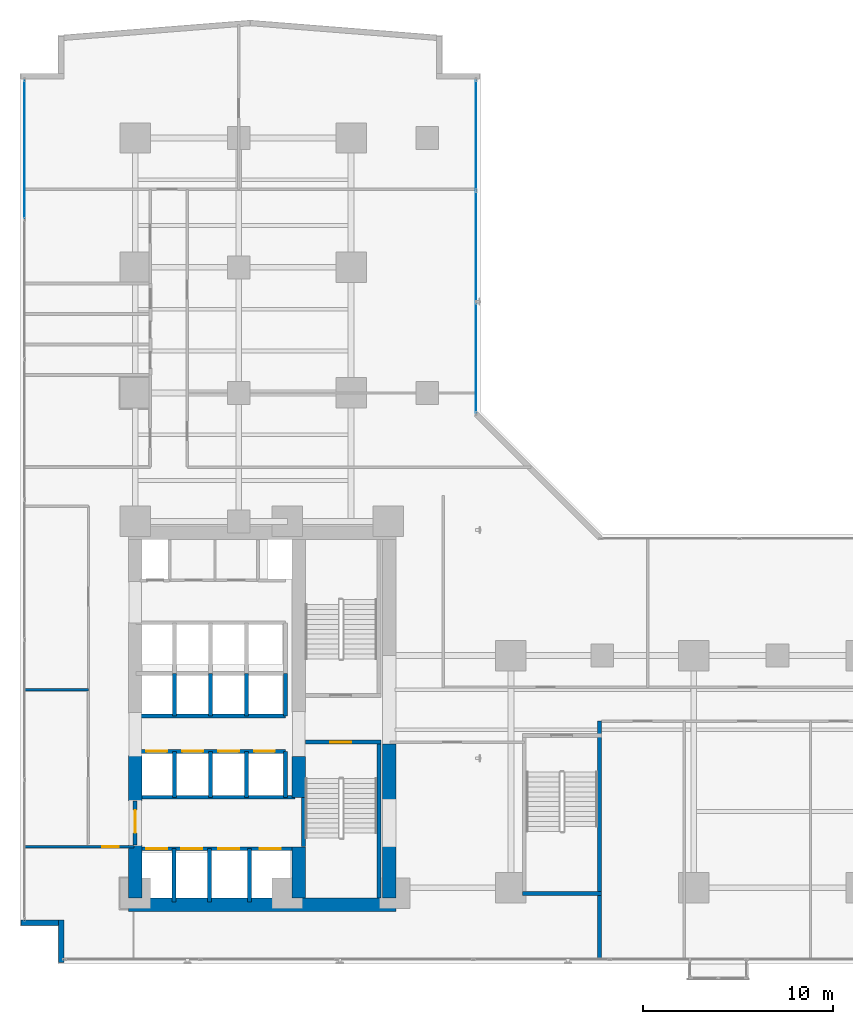
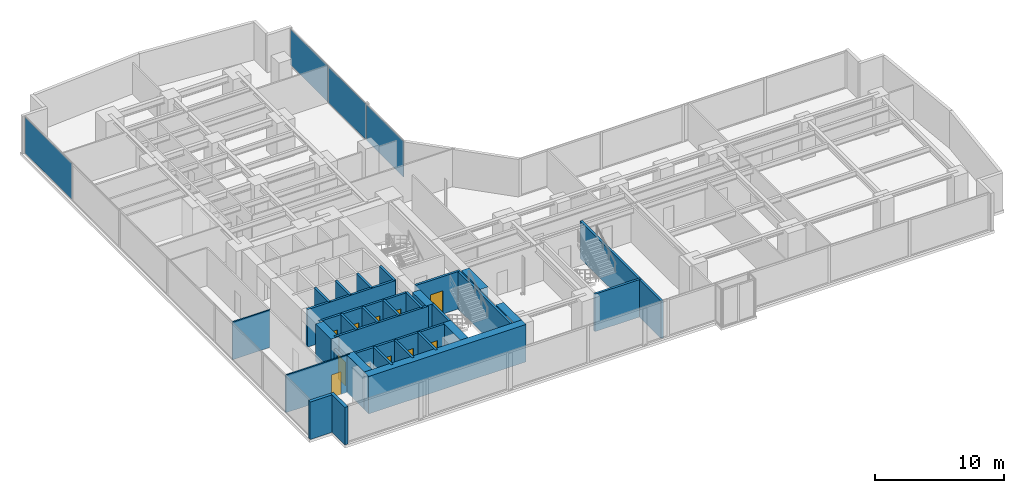
# One storey, part 22 of 30: 32 walls, 11 doors, 4 plates, 11 openings, 2 elements without a shape of their own.
"""IFC4 building model written with IfcOpenShell, lengths in metres."""

from ifc_helpers import new_model, si_unit, direction, frame, frame_2d, origin, origin_with_axes, origin_2d, place, context, subcontext, project, spatial, rectangle, extrude, source, transform, mapped, material, layer, layer_set, type_object, element, fill, aggregate, save


model = new_model("IFC4")

# Units and contexts
model_context = context("Model", 3, precision=1e-05, world=origin(), true_north=direction((0.0, 1.0)))
body_context = subcontext(model_context, "Body", "Model", "MODEL_VIEW")
ifc_project = project(units=[si_unit("LENGTHUNIT", "METRE"), si_unit("AREAUNIT", "SQUARE_METRE"), si_unit("VOLUMEUNIT", "CUBIC_METRE"), si_unit("PLANEANGLEUNIT", "RADIAN"), si_unit("MASSUNIT", "GRAM", prefix="KILO")], contexts=[model_context])

# Site, building, storey
site_placement = place(None, origin())
site = spatial("IfcSite", under=ifc_project, at=site_placement, CompositionType="ELEMENT")
building_placement = place(site_placement, origin())
building = spatial("IfcBuilding", under=site, at=building_placement, Name="Kolvaren Waterfront Exchange", CompositionType="ELEMENT")
storey_placement = place(building_placement, frame((0.0, 0.0, 71.39990234375)))
storey = spatial("IfcBuildingStorey", under=building, at=storey_placement, Name="L18", CompositionType="ELEMENT", Elevation=71.39990234375)

# Curtain wall, plate
ifc_material_1 = material(Name="Anodised aluminium 6063-T6", Category="aluminium")
ifc_layer_1 = layer(ifc_material_1, 0.219970703125, Name="Anodised aluminium 6063-T6")
ifc_layer_set_1 = layer_set([ifc_layer_1], Name="Anodised aluminium 6063-T6")
curtain_wall_type_1 = type_object("IfcCurtainWallType", Name="ARC-CW-SYS2", PredefinedType="USERDEFINED", material=ifc_layer_set_1)
curtain_wall_1_placement = place(storey_placement, origin())
curtain_wall_1 = element("IfcCurtainWall", 1, at=curtain_wall_1_placement, inside=storey, type_object=curtain_wall_type_1, Name="L18 stick curtain wall CW2 (CW-L18-W)", ObjectType="STICK CURTAIN WALL", PredefinedType="USERDEFINED")
ifc_material_2 = material(Name="Acoustic laminated vision glass", Category="glass")
ifc_layer_2 = layer(ifc_material_2, 0.031982421875, Name="Acoustic laminated vision glass")
ifc_layer_set_2 = layer_set([ifc_layer_2], Name="Acoustic laminated vision glass")
plate_type_1 = type_object("IfcPlateType", Name="ARC-CWP-32", PredefinedType="CURTAIN_PANEL", material=ifc_layer_set_2)
shared_shape_1 = source(origin_with_axes(), body_context, "Body", "SweptSolid", [
    extrude(rectangle(XDim=7.24658203125, YDim=0.031982421875, at=origin_2d()), origin(), (0.0, 0.0, 1.0), 3.389892578125),
])
plate_1_placement = place(storey_placement, frame((1.639892578125, 43.99658203125, 0.0751953125), z_axis=(0.0, 0.0, 1.0), x_axis=(0.0, 1.0, 0.0)))
plate_1 = element("IfcPlate", 2, at=plate_1_placement, type_object=plate_type_1, Name="CW2 panel 6.1", PredefinedType="CURTAIN_PANEL", context=body_context, shape_type="MappedRepresentation", body=[
    mapped(shared_shape_1, transform((0.0, 0.0, 0.0), x_axis=(1.0, 0.0, 0.0), y_axis=(0.0, 1.0, 0.0), z_axis=(0.0, 0.0, 1.0), scale=1.0)),
])
aggregate(curtain_wall_1, [plate_1])

# Curtain wall, plates
ifc_material_3 = material(Name="Anodised bronze aluminium 6063-T6", Category="aluminium")
ifc_layer_3 = layer(ifc_material_3, 0.219970703125, Name="Anodised bronze aluminium 6063-T6")
ifc_layer_set_3 = layer_set([ifc_layer_3], Name="Anodised bronze aluminium 6063-T6")
curtain_wall_type_2 = type_object("IfcCurtainWallType", Name="ARC-CW-SYS1", PredefinedType="USERDEFINED", material=ifc_layer_set_3)
curtain_wall_2_placement = place(storey_placement, origin())
curtain_wall_2 = element("IfcCurtainWall", 3, at=curtain_wall_2_placement, inside=storey, type_object=curtain_wall_type_2, Name="L18 stick curtain wall CW1 (CW-L18-NE)", ObjectType="STICK CURTAIN WALL", PredefinedType="USERDEFINED")
ifc_material_4 = material(Name="Bronze solar control vision glass", Category="aluminium")
ifc_layer_4 = layer(ifc_material_4, 0.028076171875, Name="Bronze solar control vision glass")
ifc_layer_set_4 = layer_set([ifc_layer_4], Name="Bronze solar control vision glass")
plate_type_2 = type_object("IfcPlateType", Name="ARC-CWP-28", PredefinedType="CURTAIN_PANEL", material=ifc_layer_set_4)
shared_shape_2 = source(origin_with_axes(), body_context, "Body", "SweptSolid", [
    extrude(rectangle(XDim=5.75, YDim=0.028076171875, at=origin_2d()), origin(), (0.0, 0.0, 1.0), 3.389892578125),
])
plate_2_placement = place(storey_placement, frame((25.360107421875, 33.044921875, 0.0751953125), z_axis=(0.0, 0.0, 1.0), x_axis=(0.0, 1.0, 0.0)))
plate_2 = element("IfcPlate", 4, at=plate_2_placement, type_object=plate_type_2, Name="CW1 panel 1.1", PredefinedType="CURTAIN_PANEL", context=body_context, shape_type="MappedRepresentation", body=[
    mapped(shared_shape_2, transform((0.0, 0.0, 0.0), x_axis=(1.0, 0.0, 0.0), y_axis=(0.0, 1.0, 0.0), z_axis=(0.0, 0.0, 1.0), scale=1.0)),
])
plate_3_placement = place(storey_placement, frame((25.360107421875, 44.7451171875, 0.0751953125), z_axis=(0.0, 0.0, 1.0), x_axis=(0.0, 1.0, 0.0)))
plate_3 = element("IfcPlate", 5, at=plate_3_placement, type_object=plate_type_2, Name="CW1 panel 3.1", PredefinedType="CURTAIN_PANEL", context=body_context, shape_type="MappedRepresentation", body=[
    mapped(shared_shape_2, transform((0.0, 0.0, 0.0), x_axis=(1.0, 0.0, 0.0), y_axis=(0.0, 1.0, 0.0), z_axis=(0.0, 0.0, 1.0), scale=1.0)),
])
shared_shape_3 = source(origin_with_axes(), body_context, "Body", "SweptSolid", [
    extrude(rectangle(XDim=5.7900390625, YDim=0.028076171875, at=origin_2d()), origin(), (0.0, 0.0, 1.0), 3.389892578125),
])
plate_4_placement = place(storey_placement, frame((25.360107421875, 38.89501953125, 0.0751953125), z_axis=(0.0, 0.0, 1.0), x_axis=(0.0, 1.0, 0.0)))
plate_4 = element("IfcPlate", 6, at=plate_4_placement, type_object=plate_type_2, Name="CW1 panel 2.1", PredefinedType="CURTAIN_PANEL", context=body_context, shape_type="MappedRepresentation", body=[
    mapped(shared_shape_3, transform((0.0, 0.0, 0.0), x_axis=(1.0, 0.0, 0.0), y_axis=(0.0, 1.0, 0.0), z_axis=(0.0, 0.0, 1.0), scale=1.0)),
])
aggregate(curtain_wall_2, [plate_2, plate_4, plate_3])

# Walls
ifc_material_5 = material(Name="Precast concrete C40/50", Category="concrete")
ifc_layer_5 = layer(ifc_material_5, 0.280029296875, Name="Precast concrete C40/50")
ifc_layer_set_5 = layer_set([ifc_layer_5], Name="Precast concrete C40/50")
wall_type_1 = type_object("IfcWallType", Name="ARC-EXT-TERR-280", PredefinedType="SOLIDWALL", material=ifc_layer_set_5)
wall_1_placement = place(storey_placement, frame((3.56005859375, 1.260009765625, 0.0), z_axis=(0.0, 0.0, 1.0), x_axis=(0.0, 1.0, 0.0)))
element("IfcWall", 7, at=wall_1_placement, inside=storey, type_object=wall_type_1, Name="L18 notched corner spandrel pier SW-A", PredefinedType="SOLIDWALL", context=body_context, shape_type="SweptSolid", body=[
    extrude(rectangle(XDim=2.239990234375, YDim=0.280029296875, at=frame_2d((1.1201171875, 0.0))), origin(), (0.0, 0.0, 1.0), 3.5400390625),
])
wall_2_placement = place(storey_placement, frame((1.4599609375, 3.360107421875, 0.0), z_axis=(0.0, 0.0, 1.0), x_axis=(1.0, 0.0, 0.0)))
element("IfcWall", 8, at=wall_2_placement, inside=storey, type_object=wall_type_1, Name="L18 notched corner spandrel pier SW-B", PredefinedType="SOLIDWALL", context=body_context, shape_type="SweptSolid", body=[
    extrude(rectangle(XDim=1.9599609375, YDim=0.280029296875, at=frame_2d((0.97998046875, 0.0))), origin(), (0.0, 0.0, 1.0), 3.5400390625),
])

# Wall, opening, door
ifc_layer_6 = layer(ifc_material_5, 0.199951171875, Name="Precast concrete C40/50")
ifc_layer_set_6 = layer_set([ifc_layer_6], Name="Precast concrete C40/50")
wall_type_2 = type_object("IfcWallType", Name="ARC-FIRE-200", PredefinedType="PARTITIONING", material=ifc_layer_set_6)
wall_3_placement = place(storey_placement, frame((16.39990234375, 12.85009765625, 0.0), z_axis=(0.0, 0.0, 1.0), x_axis=(1.0, 0.0, 0.0)))
wall_3 = element("IfcWall", 9, at=wall_3_placement, inside=storey, type_object=wall_type_2, Name="L18 interior wall PW-L18-ST1-THROAT-S", PredefinedType="PARTITIONING", context=body_context, shape_type="SweptSolid", body=[
    extrude(rectangle(XDim=3.960205078125, YDim=0.199951171875, at=frame_2d((1.97998046875, 0.0))), origin(), (0.0, 0.0, 1.0), 3.5400390625),
])
opening_1_placement = place(wall_3_placement, frame((1.3037109375, 0.0, 0.0)))
opening_1 = element("IfcOpeningElement", 10, at=opening_1_placement, cuts=wall_3, Name="Opening FD2", PredefinedType="OPENING", context=body_context, shape_type="SweptSolid", body=[
    extrude(rectangle(XDim=1.10009765625, YDim=2.199951171875, at=frame_2d((0.550048828125, 1.10009765625))), frame((0.0, 0.10986328125, 0.0), z_axis=(0.0, -1.0, 0.0), x_axis=(1.0, 0.0, 0.0)), (0.0, 0.0, 1.0), 0.219970703125),
])
ifc_material_6 = material(Name="Pressed steel smoke-seal fire door", Category="steel")
door_type_1 = type_object("IfcDoorType", Name="ARC-FD-1100", OperationType="NOTDEFINED", PredefinedType="DOOR", material=ifc_material_6)
door_1_placement = place(opening_1_placement, frame((1.10009765625, 0.0, 0.0), z_axis=(0.0, 0.0, 1.0), x_axis=(-1.0, 0.0, 0.0)))
door_1 = element("IfcDoor", 11, at=door_1_placement, inside=storey, type_object=door_type_1, Name="L18 door DR-L18-ST1-IN (FD2)", OperationType="SINGLE_SWING_RIGHT", OverallHeight=2.199951171875, OverallWidth=1.10009765625, PredefinedType="DOOR", context=body_context, shape_type="SweptSolid", body=[
    extrude(rectangle(XDim=1.10009765625, YDim=2.199951171875, at=frame_2d((0.550048828125, 1.10009765625))), frame((0.0, 0.02490234375, 0.0), z_axis=(0.0, -1.0, 0.0), x_axis=(1.0, 0.0, 0.0)), (0.0, 0.0, 1.0), 0.050048828125),
])
fill(opening_1, door_1)

# Wall
wall_4_placement = place(storey_placement, frame((7.5, 9.949951171875, 0.0), z_axis=(0.0, 0.0, 1.0), x_axis=(1.0, 0.0, 0.0)))
element("IfcWall", 12, at=wall_4_placement, inside=storey, type_object=wall_type_2, Name="L18 interior wall PW-L18-FF-N", PredefinedType="PARTITIONING", context=body_context, shape_type="SweptSolid", body=[
    extrude(rectangle(XDim=8.35009765625, YDim=0.199951171875, at=frame_2d((4.175048828125, 0.0))), origin(), (0.0, 0.0, 1.0), 3.5400390625),
])

# Wall, opening, door
wall_5_placement = place(storey_placement, frame((7.449951171875, 7.449951171875, 0.0), z_axis=(0.0, 0.0, 1.0), x_axis=(0.0, 1.0, 0.0)))
wall_5 = element("IfcWall", 13, at=wall_5_placement, inside=storey, type_object=wall_type_2, Name="L18 interior wall PW-L18-FF-W-DOOR", PredefinedType="PARTITIONING", context=body_context, shape_type="SweptSolid", body=[
    extrude(rectangle(XDim=2.300048828125, YDim=0.199951171875, at=frame_2d((1.14990234375, 0.0))), origin(), (0.0, 0.0, 1.0), 2.52001953125),
])
opening_2_placement = place(wall_5_placement, frame((0.63330078125, 0.0, 0.0)))
opening_2 = element("IfcOpeningElement", 14, at=opening_2_placement, cuts=wall_5, Name="Opening FD3", PredefinedType="OPENING", context=body_context, shape_type="SweptSolid", body=[
    extrude(rectangle(XDim=1.199951171875, YDim=2.25, at=frame_2d((0.60009765625, 1.125))), frame((0.0, 0.10986328125, 0.0), z_axis=(0.0, -1.0, 0.0), x_axis=(1.0, 0.0, 0.0)), (0.0, 0.0, 1.0), 0.219970703125),
])
ifc_material_7 = material(Name="Pressed steel fire door", Category="steel")
door_type_2 = type_object("IfcDoorType", Name="ARC-FD-1200", OperationType="NOTDEFINED", PredefinedType="DOOR", material=ifc_material_7)
door_2_placement = place(opening_2_placement, frame((1.199951171875, 0.0, 0.0), z_axis=(0.0, 0.0, 1.0), x_axis=(-1.0, 0.0, 0.0)))
door_2 = element("IfcDoor", 15, at=door_2_placement, inside=storey, type_object=door_type_2, Name="L18 door DR-L18-FF-OUT (FD3)", OperationType="SINGLE_SWING_LEFT", OverallHeight=2.25, OverallWidth=1.199951171875, PredefinedType="DOOR", context=body_context, shape_type="SweptSolid", body=[
    extrude(rectangle(XDim=1.199951171875, YDim=2.25, at=frame_2d((0.60009765625, 1.125))), frame((0.0, 0.02490234375, 0.0), z_axis=(0.0, -1.0, 0.0), x_axis=(1.0, 0.0, 0.0)), (0.0, 0.0, 1.0), 0.050048828125),
])
fill(opening_2, door_2)

ifc_material_8 = material(Name="Acoustic gypsum steel stud", Category="steel")
ifc_layer_7 = layer(ifc_material_8, 0.125, Name="Acoustic gypsum steel stud")
ifc_layer_set_7 = layer_set([ifc_layer_7], Name="Acoustic gypsum steel stud")
wall_type_3 = type_object("IfcWallType", Name="ARC-PART-125", PredefinedType="PARTITIONING", material=ifc_layer_set_7)
wall_6_placement = place(storey_placement, frame((1.639892578125, 7.35009765625, 0.0), z_axis=(0.0, 0.0, 1.0), x_axis=(1.0, 0.0, 0.0)))
wall_6 = element("IfcWall", 16, at=wall_6_placement, inside=storey, type_object=wall_type_3, Name="L18 interior wall PW-L18-SWC-N", PredefinedType="PARTITIONING", context=body_context, shape_type="SweptSolid", body=[
    extrude(rectangle(XDim=5.760009765625, YDim=0.125, at=frame_2d((2.8798828125, 0.0))), origin(), (0.0, 0.0, 1.0), 3.5400390625),
])
opening_3_placement = place(wall_6_placement, frame((4.086669921875, 0.0, 0.0)))
opening_3 = element("IfcOpeningElement", 17, at=opening_3_placement, cuts=wall_6, Name="Opening D01", PredefinedType="OPENING", context=body_context, shape_type="SweptSolid", body=[
    extrude(rectangle(XDim=0.85009765625, YDim=2.14990234375, at=frame_2d((0.425048828125, 1.074951171875))), frame((0.0, 0.072509765625, 0.0), z_axis=(0.0, -1.0, 0.0), x_axis=(1.0, 0.0, 0.0)), (0.0, 0.0, 1.0), 0.14501953125),
])
ifc_material_9 = material(Name="Oak veneer timber leaf", Category="wood")
door_type_3 = type_object("IfcDoorType", Name="ARC-DR-900", OperationType="NOTDEFINED", PredefinedType="DOOR", material=ifc_material_9)
door_3_placement = place(opening_3_placement, origin())
door_3 = element("IfcDoor", 18, at=door_3_placement, inside=storey, type_object=door_type_3, Name="L18 door DR-L18-SWC-D (D01)", OperationType="SINGLE_SWING_LEFT", OverallHeight=2.14990234375, OverallWidth=0.85009765625, PredefinedType="DOOR", context=body_context, shape_type="SweptSolid", body=[
    extrude(rectangle(XDim=0.85009765625, YDim=2.14990234375, at=frame_2d((0.425048828125, 1.074951171875))), frame((0.0, 0.02490234375, 0.0), z_axis=(0.0, -1.0, 0.0), x_axis=(1.0, 0.0, 0.0)), (0.0, 0.0, 1.0), 0.050048828125),
])
fill(opening_3, door_3)

# Walls
wall_7_placement = place(storey_placement, frame((1.639892578125, 15.60009765625, 0.0), z_axis=(0.0, 0.0, 1.0), x_axis=(1.0, 0.0, 0.0)))
element("IfcWall", 19, at=wall_7_placement, inside=storey, type_object=wall_type_3, Name="L18 interior wall PW-L18-WFLANK-MID", PredefinedType="PARTITIONING", context=body_context, shape_type="SweptSolid", body=[
    extrude(rectangle(XDim=3.360107421875, YDim=0.125, at=frame_2d((1.68017578125, 0.0))), origin(), (0.0, 0.0, 1.0), 3.5400390625),
])
ifc_material_10 = material(Name="Concrete C40/50", Category="concrete")
ifc_layer_8 = layer(ifc_material_10, 0.199951171875, Name="Concrete C40/50")
ifc_layer_set_8 = layer_set([ifc_layer_8], Name="Concrete C40/50")
wall_type_4 = type_object("IfcWallType", Name="ARC-SHAFT-200", PredefinedType="PARTITIONING", material=ifc_layer_set_8)
wall_8_placement = place(storey_placement, frame((16.300048828125, 7.360107421875, 0.0), z_axis=(0.0, 0.0, 1.0), x_axis=(0.0, 1.0, 0.0)))
element("IfcWall", 20, at=wall_8_placement, inside=storey, type_object=wall_type_4, Name="L18 structural stairwell wall PW-L18-ST1-W", PredefinedType="SHEAR", context=body_context, shape_type="SweptSolid", body=[
    extrude(rectangle(XDim=2.579833984375, YDim=0.199951171875, at=frame_2d((1.2900390625, 0.0))), origin(), (0.0, 0.0, 1.0), 3.5400390625),
])
wall_9_placement = place(storey_placement, frame((20.260009765625, 4.659912109375, 0.0), z_axis=(0.0, 0.0, 1.0), x_axis=(0.0, 1.0, 0.0)))
element("IfcWall", 21, at=wall_9_placement, inside=storey, type_object=wall_type_4, Name="L18 structural stairwell wall PW-L18-ST1-E", PredefinedType="SHEAR", context=body_context, shape_type="SweptSolid", body=[
    extrude(rectangle(XDim=8.090087890625, YDim=0.199951171875, at=frame_2d((4.044921875, 0.0))), origin(), (0.0, 0.0, 1.0), 3.5400390625),
])
wall_10_placement = place(storey_placement, frame((31.860107421875, 1.43994140625, 0.0), z_axis=(0.0, 0.0, 1.0), x_axis=(0.0, 1.0, 0.0)))
element("IfcWall", 22, at=wall_10_placement, inside=storey, type_object=wall_type_4, Name="L18 structural stairwell wall PW-L18-ST3-E", PredefinedType="SHEAR", context=body_context, shape_type="SweptSolid", body=[
    extrude(rectangle(XDim=12.510009765625, YDim=0.199951171875, at=frame_2d((6.2548828125, 0.0))), origin(), (0.0, 0.0, 1.0), 3.5400390625),
])
wall_11_placement = place(storey_placement, frame((27.800048828125, 4.89990234375, 0.0), z_axis=(0.0, 0.0, 1.0), x_axis=(1.0, 0.0, 0.0)))
element("IfcWall", 23, at=wall_11_placement, inside=storey, type_object=wall_type_4, Name="L18 structural stairwell wall PW-L18-ST3-S", PredefinedType="SHEAR", context=body_context, shape_type="SweptSolid", body=[
    extrude(rectangle(XDim=4.159912109375, YDim=0.199951171875, at=frame_2d((2.080078125, 0.0))), origin(), (0.0, 0.0, 1.0), 3.5400390625),
])

# Wall, openings, doors
wall_12_placement = place(storey_placement, frame((7.5, 7.25, 0.0), z_axis=(0.0, 0.0, 1.0), x_axis=(1.0, 0.0, 0.0)))
wall_12 = element("IfcWall", 24, at=wall_12_placement, inside=storey, type_object=wall_type_4, Name="L18 interior wall PW-L18-FF-S", PredefinedType="PARTITIONING", context=body_context, shape_type="SweptSolid", body=[
    extrude(rectangle(XDim=8.35009765625, YDim=0.199951171875, at=frame_2d((4.175048828125, 0.0))), origin(), (0.0, 0.0, 1.0), 3.5400390625),
])
opening_4_placement = place(wall_12_placement, frame((0.530029296875, 0.0, 0.0)))
opening_4 = element("IfcOpeningElement", 25, at=opening_4_placement, cuts=wall_12, Name="Opening LD1", PredefinedType="OPENING", context=body_context, shape_type="SweptSolid", body=[
    extrude(rectangle(XDim=1.10009765625, YDim=2.199951171875, at=frame_2d((0.550048828125, 1.10009765625))), frame((0.0, 0.10986328125, 0.0), z_axis=(0.0, -1.0, 0.0), x_axis=(1.0, 0.0, 0.0)), (0.0, 0.0, 1.0), 0.219970703125),
])
opening_5_placement = place(wall_12_placement, frame((2.3701171875, 0.0, 0.0)))
opening_5 = element("IfcOpeningElement", 26, at=opening_5_placement, cuts=wall_12, Name="Opening LD1", PredefinedType="OPENING", context=body_context, shape_type="SweptSolid", body=[
    extrude(rectangle(XDim=1.10009765625, YDim=2.199951171875, at=frame_2d((0.550048828125, 1.10009765625))), frame((0.0, 0.10986328125, 0.0), z_axis=(0.0, -1.0, 0.0), x_axis=(1.0, 0.0, 0.0)), (0.0, 0.0, 1.0), 0.219970703125),
])
opening_6_placement = place(wall_12_placement, frame((4.330078125, 0.0, 0.0)))
opening_6 = element("IfcOpeningElement", 27, at=opening_6_placement, cuts=wall_12, Name="Opening LD1", PredefinedType="OPENING", context=body_context, shape_type="SweptSolid", body=[
    extrude(rectangle(XDim=1.10009765625, YDim=2.199951171875, at=frame_2d((0.550048828125, 1.10009765625))), frame((0.0, 0.10986328125, 0.0), z_axis=(0.0, -1.0, 0.0), x_axis=(1.0, 0.0, 0.0)), (0.0, 0.0, 1.0), 0.219970703125),
])
opening_7_placement = place(wall_12_placement, frame((6.5, 0.0, 0.0)))
opening_7 = element("IfcOpeningElement", 28, at=opening_7_placement, cuts=wall_12, Name="Opening LD1", PredefinedType="OPENING", context=body_context, shape_type="SweptSolid", body=[
    extrude(rectangle(XDim=1.10009765625, YDim=2.199951171875, at=frame_2d((0.550048828125, 1.10009765625))), frame((0.0, 0.10986328125, 0.0), z_axis=(0.0, -1.0, 0.0), x_axis=(1.0, 0.0, 0.0)), (0.0, 0.0, 1.0), 0.219970703125),
])
ifc_material_11 = material(Name="Stainless steel sliding landing door", Category="steel")
door_type_4 = type_object("IfcDoorType", Name="ARC-LD-FF", OperationType="SLIDING_TO_LEFT", PredefinedType="DOOR", material=ifc_material_11)
door_4_placement = place(opening_4_placement, origin())
door_4 = element("IfcDoor", 29, at=door_4_placement, inside=storey, type_object=door_type_4, Name="L18 door LD-L18-FFL1 (LD1)", OperationType="SLIDING_TO_LEFT", OverallHeight=2.199951171875, OverallWidth=1.10009765625, PredefinedType="DOOR", context=body_context, shape_type="SweptSolid", body=[
    extrude(rectangle(XDim=1.10009765625, YDim=2.199951171875, at=frame_2d((0.550048828125, 1.10009765625))), frame((0.0, 0.02490234375, 0.0), z_axis=(0.0, -1.0, 0.0), x_axis=(1.0, 0.0, 0.0)), (0.0, 0.0, 1.0), 0.050048828125),
])
fill(opening_4, door_4)
door_5_placement = place(opening_5_placement, origin())
door_5 = element("IfcDoor", 30, at=door_5_placement, inside=storey, type_object=door_type_4, Name="L18 door LD-L18-FFL2 (LD1)", OperationType="SLIDING_TO_LEFT", OverallHeight=2.199951171875, OverallWidth=1.10009765625, PredefinedType="DOOR", context=body_context, shape_type="SweptSolid", body=[
    extrude(rectangle(XDim=1.10009765625, YDim=2.199951171875, at=frame_2d((0.550048828125, 1.10009765625))), frame((0.0, 0.02490234375, 0.0), z_axis=(0.0, -1.0, 0.0), x_axis=(1.0, 0.0, 0.0)), (0.0, 0.0, 1.0), 0.050048828125),
])
fill(opening_5, door_5)
door_6_placement = place(opening_6_placement, origin())
door_6 = element("IfcDoor", 31, at=door_6_placement, inside=storey, type_object=door_type_4, Name="L18 door LD-L18-GL1 (LD1)", OperationType="SLIDING_TO_LEFT", OverallHeight=2.199951171875, OverallWidth=1.10009765625, PredefinedType="DOOR", context=body_context, shape_type="SweptSolid", body=[
    extrude(rectangle(XDim=1.10009765625, YDim=2.199951171875, at=frame_2d((0.550048828125, 1.10009765625))), frame((0.0, 0.02490234375, 0.0), z_axis=(0.0, -1.0, 0.0), x_axis=(1.0, 0.0, 0.0)), (0.0, 0.0, 1.0), 0.050048828125),
])
fill(opening_6, door_6)
door_7_placement = place(opening_7_placement, origin())
door_7 = element("IfcDoor", 32, at=door_7_placement, inside=storey, type_object=door_type_4, Name="L18 door LD-L18-GL2 (LD1)", OperationType="SLIDING_TO_LEFT", OverallHeight=2.199951171875, OverallWidth=1.10009765625, PredefinedType="DOOR", context=body_context, shape_type="SweptSolid", body=[
    extrude(rectangle(XDim=1.10009765625, YDim=2.199951171875, at=frame_2d((0.550048828125, 1.10009765625))), frame((0.0, 0.02490234375, 0.0), z_axis=(0.0, -1.0, 0.0), x_axis=(1.0, 0.0, 0.0)), (0.0, 0.0, 1.0), 0.050048828125),
])
fill(opening_7, door_7)

# Walls
for number, where, z_axis, x_axis, name in (
    (33, (9.5, 4.449951171875, 0.0), (0.0, 0.0, 1.0), (0.0, 1.0, 0.0), "L18 interior wall PW-L18-SH1-DIV-95"),
    (34, (11.360107421875, 4.449951171875, 0.0), (0.0, 0.0, 1.0), (0.0, 1.0, 0.0), "L18 interior wall PW-L18-SH1-DIV-113"),
    (35, (13.4599609375, 4.449951171875, 0.0), (0.0, 0.0, 1.0), (0.0, 1.0, 0.0), "L18 interior wall PW-L18-SH1-DIV-134"),
):
    element("IfcWall", number, at=place(storey_placement, frame(where, z_axis=z_axis, x_axis=x_axis)), inside=storey, type_object=wall_type_4, Name=name, PredefinedType="PARTITIONING", context=body_context, shape_type="SweptSolid", body=[
        extrude(rectangle(XDim=2.800048828125, YDim=0.199951171875, at=frame_2d((1.39990234375, 0.0))), origin(), (0.0, 0.0, 1.0), 3.5400390625),
    ])

# Wall, openings, doors
wall_13_placement = place(storey_placement, frame((7.5, 12.360107421875, 0.0), z_axis=(0.0, 0.0, 1.0), x_axis=(1.0, 0.0, 0.0)))
wall_13 = element("IfcWall", 36, at=wall_13_placement, inside=storey, type_object=wall_type_4, Name="L18 interior wall PW-L18-PL-N", PredefinedType="PARTITIONING", context=body_context, shape_type="SweptSolid", body=[
    extrude(rectangle(XDim=7.85009765625, YDim=0.199951171875, at=frame_2d((3.925048828125, 0.0))), origin(), (0.0, 0.0, 1.0), 3.5400390625),
])
opening_8_placement = place(wall_13_placement, frame((0.530029296875, 0.0, 0.0)))
opening_8 = element("IfcOpeningElement", 37, at=opening_8_placement, cuts=wall_13, Name="Opening LD2", PredefinedType="OPENING", context=body_context, shape_type="SweptSolid", body=[
    extrude(rectangle(XDim=1.10009765625, YDim=2.199951171875, at=frame_2d((0.550048828125, 1.10009765625))), frame((0.0, 0.10986328125, 0.0), z_axis=(0.0, -1.0, 0.0), x_axis=(1.0, 0.0, 0.0)), (0.0, 0.0, 1.0), 0.219970703125),
])
opening_9_placement = place(wall_13_placement, frame((2.419921875, 0.0, 0.0)))
opening_9 = element("IfcOpeningElement", 38, at=opening_9_placement, cuts=wall_13, Name="Opening LD2", PredefinedType="OPENING", context=body_context, shape_type="SweptSolid", body=[
    extrude(rectangle(XDim=1.10009765625, YDim=2.199951171875, at=frame_2d((0.550048828125, 1.10009765625))), frame((0.0, 0.10986328125, 0.0), z_axis=(0.0, -1.0, 0.0), x_axis=(1.0, 0.0, 0.0)), (0.0, 0.0, 1.0), 0.219970703125),
])
opening_10_placement = place(wall_13_placement, frame((4.31005859375, 0.0, 0.0)))
opening_10 = element("IfcOpeningElement", 39, at=opening_10_placement, cuts=wall_13, Name="Opening LD2", PredefinedType="OPENING", context=body_context, shape_type="SweptSolid", body=[
    extrude(rectangle(XDim=1.10009765625, YDim=2.199951171875, at=frame_2d((0.550048828125, 1.10009765625))), frame((0.0, 0.10986328125, 0.0), z_axis=(0.0, -1.0, 0.0), x_axis=(1.0, 0.0, 0.0)), (0.0, 0.0, 1.0), 0.219970703125),
])
opening_11_placement = place(wall_13_placement, frame((6.199951171875, 0.0, 0.0)))
opening_11 = element("IfcOpeningElement", 40, at=opening_11_placement, cuts=wall_13, Name="Opening LD2", PredefinedType="OPENING", context=body_context, shape_type="SweptSolid", body=[
    extrude(rectangle(XDim=1.10009765625, YDim=2.199951171875, at=frame_2d((0.550048828125, 1.10009765625))), frame((0.0, 0.10986328125, 0.0), z_axis=(0.0, -1.0, 0.0), x_axis=(1.0, 0.0, 0.0)), (0.0, 0.0, 1.0), 0.219970703125),
])
ifc_material_12 = material(Name="Brushed bronze sliding landing door", Category="aluminium")
door_type_5 = type_object("IfcDoorType", Name="ARC-LD-PAX", OperationType="SLIDING_TO_LEFT", PredefinedType="DOOR", material=ifc_material_12)
door_8_placement = place(opening_8_placement, origin())
door_8 = element("IfcDoor", 41, at=door_8_placement, inside=storey, type_object=door_type_5, Name="L18 door LD-L18-PL1 (LD2)", OperationType="SLIDING_TO_LEFT", OverallHeight=2.199951171875, OverallWidth=1.10009765625, PredefinedType="DOOR", context=body_context, shape_type="SweptSolid", body=[
    extrude(rectangle(XDim=1.10009765625, YDim=2.199951171875, at=frame_2d((0.550048828125, 1.10009765625))), frame((0.0, 0.02490234375, 0.0), z_axis=(0.0, -1.0, 0.0), x_axis=(1.0, 0.0, 0.0)), (0.0, 0.0, 1.0), 0.050048828125),
])
fill(opening_8, door_8)
door_9_placement = place(opening_9_placement, origin())
door_9 = element("IfcDoor", 42, at=door_9_placement, inside=storey, type_object=door_type_5, Name="L18 door LD-L18-PL2 (LD2)", OperationType="SLIDING_TO_LEFT", OverallHeight=2.199951171875, OverallWidth=1.10009765625, PredefinedType="DOOR", context=body_context, shape_type="SweptSolid", body=[
    extrude(rectangle(XDim=1.10009765625, YDim=2.199951171875, at=frame_2d((0.550048828125, 1.10009765625))), frame((0.0, 0.02490234375, 0.0), z_axis=(0.0, -1.0, 0.0), x_axis=(1.0, 0.0, 0.0)), (0.0, 0.0, 1.0), 0.050048828125),
])
fill(opening_9, door_9)
door_10_placement = place(opening_10_placement, origin())
door_10 = element("IfcDoor", 43, at=door_10_placement, inside=storey, type_object=door_type_5, Name="L18 door LD-L18-PL3 (LD2)", OperationType="SLIDING_TO_LEFT", OverallHeight=2.199951171875, OverallWidth=1.10009765625, PredefinedType="DOOR", context=body_context, shape_type="SweptSolid", body=[
    extrude(rectangle(XDim=1.10009765625, YDim=2.199951171875, at=frame_2d((0.550048828125, 1.10009765625))), frame((0.0, 0.02490234375, 0.0), z_axis=(0.0, -1.0, 0.0), x_axis=(1.0, 0.0, 0.0)), (0.0, 0.0, 1.0), 0.050048828125),
])
fill(opening_10, door_10)
door_11_placement = place(opening_11_placement, origin())
door_11 = element("IfcDoor", 44, at=door_11_placement, inside=storey, type_object=door_type_5, Name="L18 door LD-L18-PL4 (LD2)", OperationType="SLIDING_TO_LEFT", OverallHeight=2.199951171875, OverallWidth=1.10009765625, PredefinedType="DOOR", context=body_context, shape_type="SweptSolid", body=[
    extrude(rectangle(XDim=1.10009765625, YDim=2.199951171875, at=frame_2d((0.550048828125, 1.10009765625))), frame((0.0, 0.02490234375, 0.0), z_axis=(0.0, -1.0, 0.0), x_axis=(1.0, 0.0, 0.0)), (0.0, 0.0, 1.0), 0.050048828125),
])
fill(opening_11, door_11)

# Walls
for number, where, z_axis, x_axis, name in (
    (45, (15.35009765625, 9.949951171875, 0.0), (0.0, 0.0, 1.0), (0.0, 1.0, 0.0), "L18 interior wall PW-L18-PL-E"),
    (46, (9.52001953125, 9.949951171875, 0.0), (0.0, 0.0, 1.0), (0.0, 1.0, 0.0), "L18 interior wall PW-L18-SH2-DIV-95"),
    (47, (11.409912109375, 9.949951171875, 0.0), (0.0, 0.0, 1.0), (0.0, 1.0, 0.0), "L18 interior wall PW-L18-SH2-DIV-114"),
    (48, (13.300048828125, 9.949951171875, 0.0), (0.0, 0.0, 1.0), (0.0, 1.0, 0.0), "L18 interior wall PW-L18-SH2-DIV-133"),
):
    element("IfcWall", number, at=place(storey_placement, frame(where, z_axis=z_axis, x_axis=x_axis)), inside=storey, type_object=wall_type_4, Name=name, PredefinedType="PARTITIONING", context=body_context, shape_type="SweptSolid", body=[
        extrude(rectangle(XDim=2.41015625, YDim=0.199951171875, at=frame_2d((1.205078125, 0.0))), origin(), (0.0, 0.0, 1.0), 3.5400390625),
    ])
wall_14_placement = place(storey_placement, frame((7.5, 14.219970703125, 0.0), z_axis=(0.0, 0.0, 1.0), x_axis=(1.0, 0.0, 0.0)))
element("IfcWall", 49, at=wall_14_placement, inside=storey, type_object=wall_type_4, Name="L18 interior wall PW-L18-PM-S", PredefinedType="PARTITIONING", context=body_context, shape_type="SweptSolid", body=[
    extrude(rectangle(XDim=7.85009765625, YDim=0.199951171875, at=frame_2d((3.925048828125, 0.0))), origin(), (0.0, 0.0, 1.0), 3.5400390625),
])
for number, where, z_axis, x_axis, name in (
    (50, (15.35009765625, 14.219970703125, 0.0), (0.0, 0.0, 1.0), (0.0, 1.0, 0.0), "L18 interior wall PW-L18-PM-E"),
    (51, (9.52001953125, 14.219970703125, 0.0), (0.0, 0.0, 1.0), (0.0, 1.0, 0.0), "L18 interior wall PW-L18-SH3-DIV-95"),
    (52, (11.409912109375, 14.219970703125, 0.0), (0.0, 0.0, 1.0), (0.0, 1.0, 0.0), "L18 interior wall PW-L18-SH3-DIV-114"),
    (53, (13.300048828125, 14.219970703125, 0.0), (0.0, 0.0, 1.0), (0.0, 1.0, 0.0), "L18 interior wall PW-L18-SH3-DIV-133"),
):
    element("IfcWall", number, at=place(storey_placement, frame(where, z_axis=z_axis, x_axis=x_axis)), inside=storey, type_object=wall_type_4, Name=name, PredefinedType="PARTITIONING", context=body_context, shape_type="SweptSolid", body=[
        extrude(rectangle(XDim=2.22998046875, YDim=0.199951171875, at=frame_2d((1.114990234375, 0.0))), origin(), (0.0, 0.0, 1.0), 3.5400390625),
    ])
ifc_material_13 = material(Name="Concrete C70/85", Category="concrete")
ifc_layer_9 = layer(ifc_material_13, 0.699951171875, Name="Concrete C70/85")
ifc_layer_set_9 = layer_set([ifc_layer_9], Name="Concrete C70/85")
wall_type_5 = type_object("IfcWallType", Name="STR-CWALL-700", PredefinedType="SHEAR", material=ifc_layer_set_9)
wall_15_placement = place(storey_placement, frame((7.10009765625, 4.300048828125, 0.0), z_axis=(0.0, 0.0, 1.0), x_axis=(1.0, 0.0, 0.0)))
element("IfcWall", 54, at=wall_15_placement, inside=storey, type_object=wall_type_5, Name="L18 rear-core shear wall S", PredefinedType="SHEAR", context=body_context, shape_type="SweptSolid", body=[
    extrude(rectangle(XDim=14.0498046875, YDim=0.699951171875, at=frame_2d((7.02490234375, 0.0))), origin(), (0.0, 0.0, 1.0), 3.5400390625),
])
wall_16_placement = place(storey_placement, frame((7.449951171875, 4.64990234375, 0.0), z_axis=(0.0, 0.0, 1.0), x_axis=(0.0, 1.0, 0.0)))
element("IfcWall", 55, at=wall_16_placement, inside=storey, type_object=wall_type_5, Name="L18 rear-core shear wall W1", PredefinedType="SHEAR", context=body_context, shape_type="SweptSolid", body=[
    extrude(rectangle(XDim=2.800048828125, YDim=0.699951171875, at=frame_2d((1.39990234375, 0.0))), origin(), (0.0, 0.0, 1.0), 3.5400390625),
])
wall_17_placement = place(storey_placement, frame((7.449951171875, 9.75, 0.0), z_axis=(0.0, 0.0, 1.0), x_axis=(0.0, 1.0, 0.0)))
element("IfcWall", 56, at=wall_17_placement, inside=storey, type_object=wall_type_5, Name="L18 rear-core shear wall W2A", PredefinedType="SHEAR", context=body_context, shape_type="SweptSolid", body=[
    extrude(rectangle(XDim=2.39990234375, YDim=0.699951171875, at=frame_2d((1.199951171875, 0.0))), origin(), (0.0, 0.0, 1.0), 3.5400390625),
])
wall_18_placement = place(storey_placement, frame((20.800048828125, 4.64990234375, 0.0), z_axis=(0.0, 0.0, 1.0), x_axis=(0.0, 1.0, 0.0)))
element("IfcWall", 57, at=wall_18_placement, inside=storey, type_object=wall_type_5, Name="L18 rear-core shear wall E1", PredefinedType="SHEAR", context=body_context, shape_type="SweptSolid", body=[
    extrude(rectangle(XDim=2.75, YDim=0.699951171875, at=frame_2d((1.375, 0.0))), origin(), (0.0, 0.0, 1.0), 3.5400390625),
])
wall_19_placement = place(storey_placement, frame((20.800048828125, 9.800048828125, 0.0), z_axis=(0.0, 0.0, 1.0), x_axis=(0.0, 1.0, 0.0)))
element("IfcWall", 58, at=wall_19_placement, inside=storey, type_object=wall_type_5, Name="L18 rear-core shear wall E2", PredefinedType="SHEAR", context=body_context, shape_type="SweptSolid", body=[
    extrude(rectangle(XDim=2.949951171875, YDim=0.699951171875, at=frame_2d((1.47509765625, 0.0))), origin(), (0.0, 0.0, 1.0), 3.5400390625),
])
wall_20_placement = place(storey_placement, frame((16.050048828125, 4.64990234375, 0.0), z_axis=(0.0, 0.0, 1.0), x_axis=(0.0, 1.0, 0.0)))
element("IfcWall", 59, at=wall_20_placement, inside=storey, type_object=wall_type_5, Name="L18 rear-core shear wall M1", PredefinedType="SHEAR", context=body_context, shape_type="SweptSolid", body=[
    extrude(rectangle(XDim=2.7001953125, YDim=0.699951171875, at=frame_2d((1.35009765625, 0.0))), origin(), (0.0, 0.0, 1.0), 3.5400390625),
])
wall_21_placement = place(storey_placement, frame((16.050048828125, 9.949951171875, 0.0), z_axis=(0.0, 0.0, 1.0), x_axis=(0.0, 1.0, 0.0)))
element("IfcWall", 60, at=wall_21_placement, inside=storey, type_object=wall_type_5, Name="L18 rear-core shear wall M2", PredefinedType="SHEAR", context=body_context, shape_type="SweptSolid", body=[
    extrude(rectangle(XDim=2.150146484375, YDim=0.699951171875, at=frame_2d((1.0751953125, 0.0))), origin(), (0.0, 0.0, 1.0), 3.5400390625),
])

save(model, "model.ifc")
